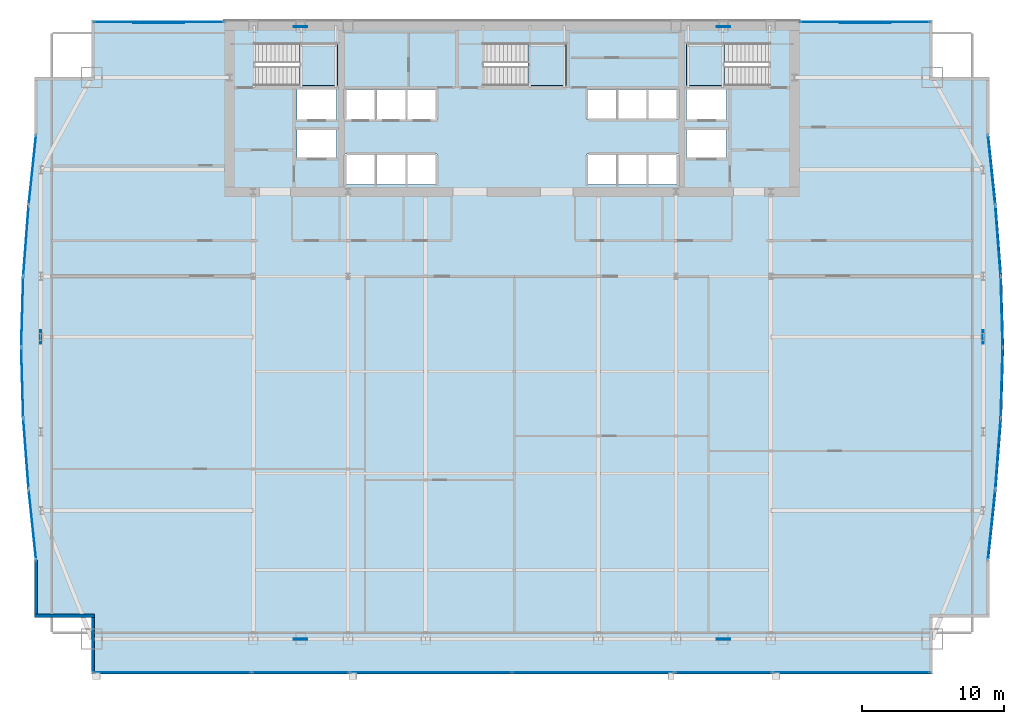
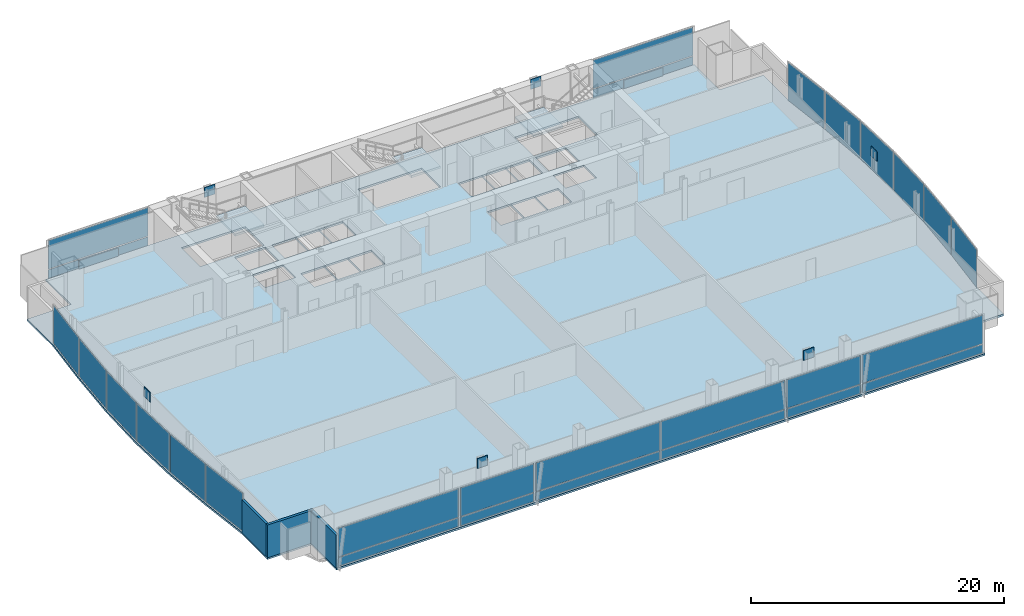
# One storey, part 25 of 30: 36 plates, 4 slabs, 3 walls, 22 elements without a shape of their own.
"""IFC4 building model written with IfcOpenShell, lengths in metres."""

import ifcopenshell
import ifcopenshell.guid

model = None  # the IFC model being written
_history = None  # IfcOwnerHistory: only IFC2X3 demands one
_inside = {}  # id of a spatial element -> (the spatial element, [elements in it])
_under = {}  # id of a project, library or spatial element -> (it, [spatial elements below it])
_declared = {}  # id of a project -> (the project, [libraries it declares])
_typed = {}  # id of a type object -> (the type object, [elements of that type])
_made_of = {}  # id of a material, layer set ... -> (it, [elements and type objects made of it])


def new_model(schema):
    """Start an empty IFC model of exactly this schema.

    Asked for "IFC4X3", IfcOpenShell would pick the latest addendum, in which some entities
    have other attributes; the version numbers below select the first issue.
    IFC2X3 requires an IfcOwnerHistory on every rooted entity: one is made here for all.
    """
    global model, _history
    if schema == "IFC4X3":
        model = ifcopenshell.file(schema_version=(4, 3, 0, 0))
    else:
        model = ifcopenshell.file(schema=schema)
    _inside.clear()
    _under.clear()
    _declared.clear()
    _typed.clear()
    _made_of.clear()
    _history = None
    if model.schema == "IFC2X3":
        org = make("IfcOrganization", Name="unknown")
        user = make(
            "IfcPersonAndOrganization",
            ThePerson=make("IfcPerson", FamilyName="unknown"),
            TheOrganization=org,
        )
        app = make(
            "IfcApplication",
            ApplicationDeveloper=org,
            Version="unknown",
            ApplicationFullName="unknown",
            ApplicationIdentifier="unknown",
        )
        _history = make(
            "IfcOwnerHistory",
            OwningUser=user,
            OwningApplication=app,
            ChangeAction="ADDED",
            CreationDate=0,
        )
    return model


def make(cls, **values):
    """One entity of the class cls with the attributes given. An attribute that is None is left unset."""
    return model.create_entity(
        cls, **{name: value for name, value in values.items() if value is not None}
    )


def rooted(cls, **values):
    """An entity with a GlobalId (a new one), such as an element, a storey or a relation."""
    return make(cls, GlobalId=ifcopenshell.guid.new(), OwnerHistory=_history, **values)


def si_unit(unit_type, name, prefix=None):
    """IfcSIUnit, for example si_unit("LENGTHUNIT", "METRE", prefix="MILLI")."""
    return make("IfcSIUnit", UnitType=unit_type, Prefix=prefix, Name=name)


def assignment(units):
    """IfcUnitAssignment: the units of a project."""
    return None if units is None else make("IfcUnitAssignment", Units=units)


def point(xyz):
    """IfcCartesianPoint."""
    return None if xyz is None else make("IfcCartesianPoint", Coordinates=xyz)


def direction(xyz):
    """IfcDirection."""
    return None if xyz is None else make("IfcDirection", DirectionRatios=xyz)


def frame(location, z_axis=None, x_axis=None):
    """IfcAxis2Placement3D, a coordinate frame: its origin and axes. An axis left out is left unset."""
    return make(
        "IfcAxis2Placement3D",
        Location=point(location),
        Axis=direction(z_axis),
        RefDirection=direction(x_axis),
    )


def frame_2d(location, x_axis=None):
    """IfcAxis2Placement2D, a coordinate frame in the plane: its origin and x axis."""
    return make(
        "IfcAxis2Placement2D", Location=point(location), RefDirection=direction(x_axis)
    )


def origin():
    """The frame at (0, 0, 0) with its axes left unset."""
    return frame((0.0, 0.0, 0.0))


def origin_2d():
    """The frame at (0, 0) in the plane with its x axis left unset."""
    return frame_2d((0.0, 0.0))


def place(relative_to, where):
    """IfcLocalPlacement: puts the frame where relative to a parent placement (None: the world)."""
    return make(
        "IfcLocalPlacement", PlacementRelTo=relative_to, RelativePlacement=where
    )


def context(
    kind, dimensions, precision=None, world=None, true_north=None, identifier=None
):
    """IfcGeometricRepresentationContext, for example the 3D "Model" context."""
    return make(
        "IfcGeometricRepresentationContext",
        ContextIdentifier=identifier,
        ContextType=kind,
        CoordinateSpaceDimension=dimensions,
        Precision=precision,
        WorldCoordinateSystem=world,
        TrueNorth=true_north,
    )


def subcontext(parent, identifier, kind, view, scale=None):
    """IfcGeometricRepresentationSubContext, for example "Body" below "Model"."""
    return make(
        "IfcGeometricRepresentationSubContext",
        ContextIdentifier=identifier,
        ContextType=kind,
        ParentContext=parent,
        TargetScale=scale,
        TargetView=view,
    )


def project(units=None, contexts=None):
    """IfcProject with its units and contexts."""
    return rooted(
        "IfcProject",
        Name="project",
        RepresentationContexts=contexts,
        UnitsInContext=assignment(units),
    )


def spatial(cls, under=None, at=None, **own):
    """A site, building, storey or space (cls), placed at a placement, below another one or the project."""
    s = rooted(cls, ObjectPlacement=at, **own)
    if under is not None:
        _under.setdefault(under.id(), (under, []))[1].append(s)
    return s


def polyline(points):
    """IfcPolyline through the points."""
    return make("IfcPolyline", Points=[point(p) for p in points])


def profile(cls, at=None, kind="AREA", **sizes):
    """A parametric profile (cls). Its sizes go by their IFC names, for example OverallWidth=200.0."""
    return make(cls, ProfileType=kind, Position=at, **sizes)


def rectangle(**sizes):
    """IfcRectangleProfileDef."""
    return profile("IfcRectangleProfileDef", **sizes)


def outline(outer, holes=None, kind="AREA"):
    """IfcArbitraryClosedProfileDef: a profile drawn as a closed curve; with holes, ...WithVoids."""
    if holes is None:
        return make("IfcArbitraryClosedProfileDef", ProfileType=kind, OuterCurve=outer)
    return make(
        "IfcArbitraryProfileDefWithVoids",
        ProfileType=kind,
        OuterCurve=outer,
        InnerCurves=holes,
    )


def extrude(swept, where, along, depth):
    """IfcExtrudedAreaSolid: the profile swept, set in the frame where, extruded along a direction by depth."""
    return make(
        "IfcExtrudedAreaSolid",
        SweptArea=swept,
        Position=where,
        ExtrudedDirection=direction(along),
        Depth=depth,
    )


def shape(context_of_items, identifier, shape_type, items):
    """IfcShapeRepresentation: the items that make up one representation, for example the "Body"."""
    return make(
        "IfcShapeRepresentation",
        ContextOfItems=context_of_items,
        RepresentationIdentifier=identifier,
        RepresentationType=shape_type,
        Items=items,
    )


def material(Name=None, Category=None):
    """IfcMaterial."""
    return make("IfcMaterial", Name=Name, Category=Category)


def layer(
    of_material, thickness, ventilated=None, Name=None, Category=None, Priority=None
):
    """IfcMaterialLayer: one layer of a wall or slab, of a material (None: an air gap)."""
    return make(
        "IfcMaterialLayer",
        Material=of_material,
        LayerThickness=thickness,
        IsVentilated=ventilated,
        Name=Name,
        Category=Category,
        Priority=Priority,
    )


def layer_set(layers, Name=None):
    """IfcMaterialLayerSet."""
    return make("IfcMaterialLayerSet", MaterialLayers=layers, LayerSetName=Name)


def made_of(thing, what):
    """Note that an element or type object is made of a material, layer set ...; save() writes the relation."""
    if what is not None:
        _made_of.setdefault(what.id(), (what, []))[1].append(thing)
    return thing


def type_object(cls, material=None, **own):
    """A type object (cls), such as IfcWallType, which elements share."""
    return made_of(rooted(cls, **own), material)


def element(
    cls,
    number,
    at=None,
    inside=None,
    cuts=None,
    type_object=None,
    material=None,
    context=None,
    identifier="Body",
    shape_type=None,
    held_by="IfcProductDefinitionShape",
    body=None,
    shapes=None,
    **own,
):
    """One element of the class cls, such as IfcWall. Its Tag is "e" and its number.

    at: its placement. inside: the storey or other place that contains it. cuts: it is an
    opening in that element (IfcRelVoidsElement). A single representation is given by context,
    identifier, shape_type and body (its items); several are given by shapes. held_by: the class
    of the entity that holds the representations. save() writes the other relations.
    """
    e = rooted(cls, Tag="e%d" % number, ObjectPlacement=at, **own)
    if body is not None:
        shapes = [shape(context, identifier, shape_type, body)]
    if shapes is not None:
        e.Representation = make(held_by, Representations=shapes)
    if inside is not None:
        _inside.setdefault(inside.id(), (inside, []))[1].append(e)
    if cuts is not None:
        rooted(
            "IfcRelVoidsElement", RelatingBuildingElement=cuts, RelatedOpeningElement=e
        )
    if type_object is not None:
        _typed.setdefault(type_object.id(), (type_object, []))[1].append(e)
    return made_of(e, material)


def aggregate(whole, parts):
    """IfcRelAggregates: a whole, such as a stair, and the parts it consists of."""
    return rooted("IfcRelAggregates", RelatingObject=whole, RelatedObjects=parts)


def save(model, path):
    """Write the relations noted so far, then the file.

    IfcRelAggregates (storeys below a building ...), IfcRelContainedInSpatialStructure (elements
    in a storey), IfcRelDefinesByType, IfcRelAssociatesMaterial and IfcRelDeclares: one each for
    every whole, place, type object, material and project.
    """
    for whole, parts in _under.values():
        aggregate(whole, parts)
    for where, things in _inside.values():
        rooted(
            "IfcRelContainedInSpatialStructure",
            RelatedElements=things,
            RelatingStructure=where,
        )
    for kind, things in _typed.values():
        rooted("IfcRelDefinesByType", RelatedObjects=things, RelatingType=kind)
    for what, things in _made_of.values():
        rooted("IfcRelAssociatesMaterial", RelatedObjects=things, RelatingMaterial=what)
    for by, libraries in _declared.values():
        rooted("IfcRelDeclares", RelatingContext=by, RelatedDefinitions=libraries)
    model.write(path)


model = new_model("IFC4")

# Units and contexts
model_context = context("Model", 3, precision=1e-05, world=origin(), true_north=direction((0.0, 1.0)))
body_context = subcontext(model_context, "Body", "Model", "MODEL_VIEW")
ifc_project = project(units=[si_unit("LENGTHUNIT", "METRE"), si_unit("AREAUNIT", "SQUARE_METRE"), si_unit("VOLUMEUNIT", "CUBIC_METRE"), si_unit("PLANEANGLEUNIT", "RADIAN"), si_unit("MASSUNIT", "GRAM", prefix="KILO")], contexts=[model_context])

# Site, building, storey
site_placement = place(None, origin())
site = spatial("IfcSite", under=ifc_project, at=site_placement, CompositionType="ELEMENT")
building_placement = place(site_placement, origin())
building = spatial("IfcBuilding", under=site, at=building_placement, Name="Khoronbel Lancet Exchange", CompositionType="ELEMENT")
storey_placement = place(building_placement, frame((0.0, 0.0, 90.60009765625)))
storey = spatial("IfcBuildingStorey", under=building, at=storey_placement, Name="L21", CompositionType="ELEMENT", Elevation=90.60009765625)

# Curtain wall, plate
ifc_material_1 = material(Name="Low-E Solar Control Insulating Glass", Category="glass")
curtain_wall_type_1 = type_object("IfcCurtainWallType", Name="CW-4", PredefinedType="NOTDEFINED", material=ifc_material_1)
curtain_wall_1_placement = place(storey_placement, origin())
curtain_wall_1 = element("IfcCurtainWall", 1, at=curtain_wall_1_placement, inside=storey, type_object=curtain_wall_type_1, Name="Unitised curtain wall CW-L21-E05", PredefinedType="NOTDEFINED")
ifc_material_2 = material(Name="Bronze-Anodised Aluminium 6063-T6", Category="aluminium")
ifc_layer_1 = layer(ifc_material_2, 0.050048828125, Name="Bronze-Anodised Aluminium 6063-T6")
ifc_layer_set_1 = layer_set([ifc_layer_1], Name="Bronze-Anodised Aluminium 6063-T6")
plate_type_1 = type_object("IfcPlateType", Name="PLT-CSP1", PredefinedType="SHEET", material=ifc_layer_set_1)
plate_1_placement = place(storey_placement, frame((2.22265625, 23.206298828125, 0.0849609375), z_axis=(0.0, 0.0, 1.0), x_axis=(-0.076626304874, 0.997059882555, 0.0)))
plate_1 = element("IfcPlate", 2, at=plate_1_placement, type_object=plate_type_1, Name="CW4 panel 1.1", PredefinedType="CURTAIN_PANEL", context=body_context, shape_type="SweptSolid", body=[
    extrude(rectangle(XDim=4.861328125, YDim=0.0380859375, at=origin_2d()), origin(), (0.0, 0.0, 1.0), 3.64990234375),
])
aggregate(curtain_wall_1, [plate_1])

curtain_wall_2_placement = place(storey_placement, origin())
curtain_wall_2 = element("IfcCurtainWall", 3, at=curtain_wall_2_placement, inside=storey, type_object=curtain_wall_type_1, Name="Unitised curtain wall CW-L21-E06", PredefinedType="NOTDEFINED")
plate_2_placement = place(storey_placement, frame((1.960205078125, 28.202392578125, 0.0849609375), z_axis=(0.0, 0.0, 1.0), x_axis=(-0.028135315146, 0.999604123662, 0.0)))
plate_2 = element("IfcPlate", 4, at=plate_2_placement, type_object=plate_type_1, Name="CW4 panel 1.1", PredefinedType="CURTAIN_PANEL", context=body_context, shape_type="SweptSolid", body=[
    extrude(rectangle(XDim=4.84716796875, YDim=0.0380859375, at=origin_2d()), origin(), (0.0, 0.0, 1.0), 3.64990234375),
])
aggregate(curtain_wall_2, [plate_2])

curtain_wall_3_placement = place(storey_placement, origin())
curtain_wall_3 = element("IfcCurtainWall", 5, at=curtain_wall_3_placement, inside=storey, type_object=curtain_wall_type_1, Name="Unitised curtain wall CW-L21-E07", PredefinedType="NOTDEFINED")
plate_3_placement = place(storey_placement, frame((1.960205078125, 33.19775390625, 0.0849609375), z_axis=(0.0, 0.0, 1.0), x_axis=(0.028135315146, 0.999604123662, 0.0)))
plate_3 = element("IfcPlate", 6, at=plate_3_placement, type_object=plate_type_1, Name="CW4 panel 1.1", PredefinedType="CURTAIN_PANEL", context=body_context, shape_type="SweptSolid", body=[
    extrude(rectangle(XDim=4.84716796875, YDim=0.0380859375, at=origin_2d()), origin(), (0.0, 0.0, 1.0), 3.64990234375),
])
aggregate(curtain_wall_3, [plate_3])

curtain_wall_4_placement = place(storey_placement, origin())
curtain_wall_4 = element("IfcCurtainWall", 7, at=curtain_wall_4_placement, inside=storey, type_object=curtain_wall_type_1, Name="Unitised curtain wall CW-L21-E08", PredefinedType="NOTDEFINED")
plate_4_placement = place(storey_placement, frame((2.22265625, 38.193603515625, 0.0849609375), z_axis=(0.0, 0.0, 1.0), x_axis=(0.076626304874, 0.997059882555, 0.0)))
plate_4 = element("IfcPlate", 8, at=plate_4_placement, type_object=plate_type_1, Name="CW4 panel 1.1", PredefinedType="CURTAIN_PANEL", context=body_context, shape_type="SweptSolid", body=[
    extrude(rectangle(XDim=4.861328125, YDim=0.0380859375, at=origin_2d()), origin(), (0.0, 0.0, 1.0), 3.64990234375),
])
aggregate(curtain_wall_4, [plate_4])

curtain_wall_type_2 = type_object("IfcCurtainWallType", Name="CW-2", PredefinedType="NOTDEFINED", material=ifc_material_1)
curtain_wall_5_placement = place(storey_placement, origin())
curtain_wall_5 = element("IfcCurtainWall", 9, at=curtain_wall_5_placement, inside=storey, type_object=curtain_wall_type_2, Name="Unitised curtain wall CW-L21-NWFLK", PredefinedType="NOTDEFINED")
plate_5_placement = place(storey_placement, frame((11.580078125, 53.550048828125, 0.0498046875), z_axis=(0.0, 0.0, 1.0), x_axis=(-1.0, 0.0, 0.0)))
plate_5 = element("IfcPlate", 10, at=plate_5_placement, type_object=plate_type_1, Name="Insulated bronze spandrel cassette CW-L21-NWFLK", PredefinedType="SHEET", context=body_context, shape_type="SweptSolid", body=[
    extrude(rectangle(XDim=3.60009765625, YDim=0.050048828125, at=origin_2d()), origin(), (0.0, 0.0, 1.0), 0.800048828125),
])

curtain_wall_6_placement = place(storey_placement, origin())
curtain_wall_6 = element("IfcCurtainWall", 11, at=curtain_wall_6_placement, inside=storey, type_object=curtain_wall_type_2, Name="Unitised curtain wall CW-L21-NEFLK", PredefinedType="NOTDEFINED")
plate_6_placement = place(storey_placement, frame((61.320068359375, 53.550048828125, 0.0498046875), z_axis=(0.0, 0.0, 1.0), x_axis=(-1.0, 0.0, 0.0)))
plate_6 = element("IfcPlate", 12, at=plate_6_placement, type_object=plate_type_1, Name="Insulated bronze spandrel cassette CW-L21-NEFLK", PredefinedType="SHEET", context=body_context, shape_type="SweptSolid", body=[
    extrude(rectangle(XDim=3.60009765625, YDim=0.050048828125, at=origin_2d()), origin(), (0.0, 0.0, 1.0), 0.800048828125),
])

curtain_wall_7_placement = place(storey_placement, origin())
curtain_wall_7 = element("IfcCurtainWall", 13, at=curtain_wall_7_placement, inside=storey, type_object=curtain_wall_type_1, Name="Unitised curtain wall CW-L21-E18", PredefinedType="NOTDEFINED")
plate_7_placement = place(storey_placement, frame((70.677490234375, 38.193603515625, 0.0849609375), z_axis=(0.0, 0.0, 1.0), x_axis=(0.076626304874, -0.997059882555, 0.0)))
plate_7 = element("IfcPlate", 14, at=plate_7_placement, type_object=plate_type_1, Name="CW4 panel 1.1", PredefinedType="CURTAIN_PANEL", context=body_context, shape_type="SweptSolid", body=[
    extrude(rectangle(XDim=4.861328125, YDim=0.0380859375, at=origin_2d()), origin(), (0.0, 0.0, 1.0), 3.64990234375),
])
aggregate(curtain_wall_7, [plate_7])

curtain_wall_8_placement = place(storey_placement, origin())
curtain_wall_8 = element("IfcCurtainWall", 15, at=curtain_wall_8_placement, inside=storey, type_object=curtain_wall_type_1, Name="Unitised curtain wall CW-L21-E19", PredefinedType="NOTDEFINED")
plate_8_placement = place(storey_placement, frame((70.939697265625, 33.19775390625, 0.0849609375), z_axis=(0.0, 0.0, 1.0), x_axis=(0.028135315146, -0.999604123662, 0.0)))
plate_8 = element("IfcPlate", 16, at=plate_8_placement, type_object=plate_type_1, Name="CW4 panel 1.1", PredefinedType="CURTAIN_PANEL", context=body_context, shape_type="SweptSolid", body=[
    extrude(rectangle(XDim=4.84716796875, YDim=0.0380859375, at=origin_2d()), origin(), (0.0, 0.0, 1.0), 3.64990234375),
])
aggregate(curtain_wall_8, [plate_8])

curtain_wall_9_placement = place(storey_placement, origin())
curtain_wall_9 = element("IfcCurtainWall", 17, at=curtain_wall_9_placement, inside=storey, type_object=curtain_wall_type_1, Name="Unitised curtain wall CW-L21-E20", PredefinedType="NOTDEFINED")
plate_9_placement = place(storey_placement, frame((70.939697265625, 28.202392578125, 0.0849609375), z_axis=(0.0, 0.0, 1.0), x_axis=(-0.028135315146, -0.999604123662, 0.0)))
plate_9 = element("IfcPlate", 18, at=plate_9_placement, type_object=plate_type_1, Name="CW4 panel 1.1", PredefinedType="CURTAIN_PANEL", context=body_context, shape_type="SweptSolid", body=[
    extrude(rectangle(XDim=4.84716796875, YDim=0.0380859375, at=origin_2d()), origin(), (0.0, 0.0, 1.0), 3.64990234375),
])
aggregate(curtain_wall_9, [plate_9])

curtain_wall_10_placement = place(storey_placement, origin())
curtain_wall_10 = element("IfcCurtainWall", 19, at=curtain_wall_10_placement, inside=storey, type_object=curtain_wall_type_1, Name="Unitised curtain wall CW-L21-E21", PredefinedType="NOTDEFINED")
plate_10_placement = place(storey_placement, frame((70.677490234375, 23.206298828125, 0.0849609375), z_axis=(0.0, 0.0, 1.0), x_axis=(-0.076626304874, -0.997059882555, 0.0)))
plate_10 = element("IfcPlate", 20, at=plate_10_placement, type_object=plate_type_1, Name="CW4 panel 1.1", PredefinedType="CURTAIN_PANEL", context=body_context, shape_type="SweptSolid", body=[
    extrude(rectangle(XDim=4.861328125, YDim=0.0380859375, at=origin_2d()), origin(), (0.0, 0.0, 1.0), 3.64990234375),
])
aggregate(curtain_wall_10, [plate_10])

# Curtain wall, plates
curtain_wall_11_placement = place(storey_placement, origin())
curtain_wall_11 = element("IfcCurtainWall", 21, at=curtain_wall_11_placement, inside=storey, type_object=curtain_wall_type_2, Name="Unitised curtain wall CW-L21-SWB", PredefinedType="NOTDEFINED")
plate_11_placement = place(storey_placement, frame((21.550048828125, 7.7900390625, 0.0849609375), z_axis=(0.0, 0.0, 1.0), x_axis=(1.0, 0.0, 0.0)))
plate_11 = element("IfcPlate", 22, at=plate_11_placement, type_object=plate_type_1, Name="CW2 panel 1.1", PredefinedType="CURTAIN_PANEL", context=body_context, shape_type="SweptSolid", body=[
    extrude(rectangle(XDim=6.72998046875, YDim=0.0380859375, at=origin_2d()), origin(), (0.0, 0.0, 1.0), 0.822509765625),
])
plate_12_placement = place(storey_placement, frame((21.550048828125, 7.7900390625, 0.99267578125), z_axis=(0.0, 0.0, 1.0), x_axis=(1.0, 0.0, 0.0)))
plate_12 = element("IfcPlate", 23, at=plate_12_placement, type_object=plate_type_1, Name="CW2 panel 1.2", PredefinedType="CURTAIN_PANEL", context=body_context, shape_type="SweptSolid", body=[
    extrude(rectangle(XDim=6.72998046875, YDim=0.0380859375, at=origin_2d()), origin(), (0.0, 0.0, 1.0), 2.742431640625),
])
aggregate(curtain_wall_11, [plate_11, plate_12])

curtain_wall_12_placement = place(storey_placement, origin())
curtain_wall_12 = element("IfcCurtainWall", 24, at=curtain_wall_12_placement, inside=storey, type_object=curtain_wall_type_2, Name="Unitised curtain wall CW-L21-SEB", PredefinedType="NOTDEFINED")
plate_13_placement = place(storey_placement, frame((51.35009765625, 7.7900390625, 0.0849609375), z_axis=(0.0, 0.0, 1.0), x_axis=(1.0, 0.0, 0.0)))
plate_13 = element("IfcPlate", 25, at=plate_13_placement, type_object=plate_type_1, Name="CW2 panel 1.1", PredefinedType="CURTAIN_PANEL", context=body_context, shape_type="SweptSolid", body=[
    extrude(rectangle(XDim=6.72998046875, YDim=0.0380859375, at=origin_2d()), origin(), (0.0, 0.0, 1.0), 0.822509765625),
])
plate_14_placement = place(storey_placement, frame((51.35009765625, 7.7900390625, 0.99267578125), z_axis=(0.0, 0.0, 1.0), x_axis=(1.0, 0.0, 0.0)))
plate_14 = element("IfcPlate", 26, at=plate_14_placement, type_object=plate_type_1, Name="CW2 panel 1.2", PredefinedType="CURTAIN_PANEL", context=body_context, shape_type="SweptSolid", body=[
    extrude(rectangle(XDim=6.72998046875, YDim=0.0380859375, at=origin_2d()), origin(), (0.0, 0.0, 1.0), 2.742431640625),
])
aggregate(curtain_wall_12, [plate_13, plate_14])

# Plate
ifc_layer_2 = layer(ifc_material_1, 0.035888671875, Name="Low-E Solar Control Insulating Glass")
ifc_layer_set_2 = layer_set([ifc_layer_2], Name="Low-E Solar Control Insulating Glass")
plate_type_2 = type_object("IfcPlateType", Name="PLT-CWP1", PredefinedType="CURTAIN_PANEL", material=ifc_layer_set_2)
plate_15_placement = place(storey_placement, frame((11.580078125, 53.610107421875, 0.0849609375), z_axis=(0.0, 0.0, 1.0), x_axis=(-1.0, 0.0, 0.0)))
plate_15 = element("IfcPlate", 27, at=plate_15_placement, type_object=plate_type_2, Name="CW2 panel 1.1", PredefinedType="CURTAIN_PANEL", context=body_context, shape_type="SweptSolid", body=[
    extrude(rectangle(XDim=9.110107421875, YDim=0.0380859375, at=origin_2d()), origin(), (0.0, 0.0, 1.0), 0.822509765625),
])

plate_16_placement = place(storey_placement, frame((11.580078125, 53.610107421875, 0.99267578125), z_axis=(0.0, 0.0, 1.0), x_axis=(-1.0, 0.0, 0.0)))
plate_16 = element("IfcPlate", 28, at=plate_16_placement, type_object=plate_type_2, Name="CW2 panel 1.2", PredefinedType="CURTAIN_PANEL", context=body_context, shape_type="SweptSolid", body=[
    extrude(rectangle(XDim=9.110107421875, YDim=0.0380859375, at=origin_2d()), origin(), (0.0, 0.0, 1.0), 2.742431640625),
])

aggregate(curtain_wall_5, [plate_15, plate_16, plate_5])

plate_17_placement = place(storey_placement, frame((61.320068359375, 53.610107421875, 0.0849609375), z_axis=(0.0, 0.0, 1.0), x_axis=(-1.0, 0.0, 0.0)))
plate_17 = element("IfcPlate", 29, at=plate_17_placement, type_object=plate_type_2, Name="CW2 panel 1.1", PredefinedType="CURTAIN_PANEL", context=body_context, shape_type="SweptSolid", body=[
    extrude(rectangle(XDim=9.110107421875, YDim=0.0380859375, at=origin_2d()), origin(), (0.0, 0.0, 1.0), 0.822509765625),
])

plate_18_placement = place(storey_placement, frame((61.320068359375, 53.610107421875, 0.99267578125), z_axis=(0.0, 0.0, 1.0), x_axis=(-1.0, 0.0, 0.0)))
plate_18 = element("IfcPlate", 30, at=plate_18_placement, type_object=plate_type_2, Name="CW2 panel 1.2", PredefinedType="CURTAIN_PANEL", context=body_context, shape_type="SweptSolid", body=[
    extrude(rectangle(XDim=9.110107421875, YDim=0.0380859375, at=origin_2d()), origin(), (0.0, 0.0, 1.0), 2.742431640625),
])

aggregate(curtain_wall_6, [plate_17, plate_18, plate_6])

# Curtain wall, plates
curtain_wall_13_placement = place(storey_placement, origin())
curtain_wall_13 = element("IfcCurtainWall", 31, at=curtain_wall_13_placement, inside=storey, type_object=curtain_wall_type_2, Name="Unitised curtain wall CW-L21-SWV", PredefinedType="NOTDEFINED")
plate_19_placement = place(storey_placement, frame((12.52001953125, 7.7900390625, 0.0849609375), z_axis=(0.0, 0.0, 1.0), x_axis=(1.0, 0.0, 0.0)))
plate_19 = element("IfcPlate", 32, at=plate_19_placement, type_object=plate_type_2, Name="CW2 panel 1.1", PredefinedType="CURTAIN_PANEL", context=body_context, shape_type="SweptSolid", body=[
    extrude(rectangle(XDim=10.989990234375, YDim=0.0380859375, at=origin_2d()), origin(), (0.0, 0.0, 1.0), 0.822509765625),
])
plate_20_placement = place(storey_placement, frame((12.52001953125, 7.7900390625, 0.99267578125), z_axis=(0.0, 0.0, 1.0), x_axis=(1.0, 0.0, 0.0)))
plate_20 = element("IfcPlate", 33, at=plate_20_placement, type_object=plate_type_2, Name="CW2 panel 1.2", PredefinedType="CURTAIN_PANEL", context=body_context, shape_type="SweptSolid", body=[
    extrude(rectangle(XDim=10.989990234375, YDim=0.0380859375, at=origin_2d()), origin(), (0.0, 0.0, 1.0), 2.742431640625),
])
aggregate(curtain_wall_13, [plate_19, plate_20])

curtain_wall_14_placement = place(storey_placement, origin())
curtain_wall_14 = element("IfcCurtainWall", 34, at=curtain_wall_14_placement, inside=storey, type_object=curtain_wall_type_2, Name="Unitised curtain wall CW-L21-SCV", PredefinedType="NOTDEFINED")
plate_21_placement = place(storey_placement, frame((30.746337890625, 7.7900390625, 0.0849609375), z_axis=(0.0, 0.0, 1.0), x_axis=(1.0, 0.0, 0.0)))
plate_21 = element("IfcPlate", 35, at=plate_21_placement, type_object=plate_type_2, Name="CW2 panel 1.1", PredefinedType="CURTAIN_PANEL", context=body_context, shape_type="SweptSolid", body=[
    extrude(rectangle(XDim=11.322509765625, YDim=0.0380859375, at=origin_2d()), origin(), (0.0, 0.0, 1.0), 0.822509765625),
])
plate_22_placement = place(storey_placement, frame((30.746337890625, 7.7900390625, 0.99267578125), z_axis=(0.0, 0.0, 1.0), x_axis=(1.0, 0.0, 0.0)))
plate_22 = element("IfcPlate", 36, at=plate_22_placement, type_object=plate_type_2, Name="CW2 panel 1.2", PredefinedType="CURTAIN_PANEL", context=body_context, shape_type="SweptSolid", body=[
    extrude(rectangle(XDim=11.322509765625, YDim=0.0380859375, at=origin_2d()), origin(), (0.0, 0.0, 1.0), 2.742431640625),
])
plate_23_placement = place(storey_placement, frame((42.15380859375, 7.7900390625, 0.0849609375), z_axis=(0.0, 0.0, 1.0), x_axis=(1.0, 0.0, 0.0)))
plate_23 = element("IfcPlate", 37, at=plate_23_placement, type_object=plate_type_2, Name="CW2 panel 2.1", PredefinedType="CURTAIN_PANEL", context=body_context, shape_type="SweptSolid", body=[
    extrude(rectangle(XDim=11.322509765625, YDim=0.0380859375, at=origin_2d()), origin(), (0.0, 0.0, 1.0), 0.822509765625),
])
plate_24_placement = place(storey_placement, frame((42.15380859375, 7.7900390625, 0.99267578125), z_axis=(0.0, 0.0, 1.0), x_axis=(1.0, 0.0, 0.0)))
plate_24 = element("IfcPlate", 38, at=plate_24_placement, type_object=plate_type_2, Name="CW2 panel 2.2", PredefinedType="CURTAIN_PANEL", context=body_context, shape_type="SweptSolid", body=[
    extrude(rectangle(XDim=11.322509765625, YDim=0.0380859375, at=origin_2d()), origin(), (0.0, 0.0, 1.0), 2.742431640625),
])
aggregate(curtain_wall_14, [plate_21, plate_22, plate_23, plate_24])

curtain_wall_15_placement = place(storey_placement, origin())
curtain_wall_15 = element("IfcCurtainWall", 39, at=curtain_wall_15_placement, inside=storey, type_object=curtain_wall_type_2, Name="Unitised curtain wall CW-L21-SEV", PredefinedType="NOTDEFINED")
plate_25_placement = place(storey_placement, frame((60.3798828125, 7.7900390625, 0.0849609375), z_axis=(0.0, 0.0, 1.0), x_axis=(1.0, 0.0, 0.0)))
plate_25 = element("IfcPlate", 40, at=plate_25_placement, type_object=plate_type_2, Name="CW2 panel 1.1", PredefinedType="CURTAIN_PANEL", context=body_context, shape_type="SweptSolid", body=[
    extrude(rectangle(XDim=10.989990234375, YDim=0.0380859375, at=origin_2d()), origin(), (0.0, 0.0, 1.0), 0.822509765625),
])
plate_26_placement = place(storey_placement, frame((60.3798828125, 7.7900390625, 0.99267578125), z_axis=(0.0, 0.0, 1.0), x_axis=(1.0, 0.0, 0.0)))
plate_26 = element("IfcPlate", 41, at=plate_26_placement, type_object=plate_type_2, Name="CW2 panel 1.2", PredefinedType="CURTAIN_PANEL", context=body_context, shape_type="SweptSolid", body=[
    extrude(rectangle(XDim=10.989990234375, YDim=0.0380859375, at=origin_2d()), origin(), (0.0, 0.0, 1.0), 2.742431640625),
])
aggregate(curtain_wall_15, [plate_25, plate_26])

# Curtain wall, plate
curtain_wall_16_placement = place(storey_placement, origin())
curtain_wall_16 = element("IfcCurtainWall", 42, at=curtain_wall_16_placement, inside=storey, type_object=curtain_wall_type_1, Name="Unitised curtain wall CW-L21-E04", PredefinedType="NOTDEFINED")
ifc_material_3 = material(Name="Ceramic-Fritted Laminated Insulating Glass", Category="glass")
ifc_layer_3 = layer(ifc_material_3, 0.0419921875, Name="Ceramic-Fritted Laminated Insulating Glass")
ifc_layer_set_3 = layer_set([ifc_layer_3], Name="Ceramic-Fritted Laminated Insulating Glass")
plate_type_3 = type_object("IfcPlateType", Name="PLT-CWP2", PredefinedType="CURTAIN_PANEL", material=ifc_layer_set_3)
plate_27_placement = place(storey_placement, frame((2.67724609375, 18.206298828125, 0.0849609375), z_axis=(0.0, 0.0, 1.0), x_axis=(-0.104434383958, 0.994531779003, 0.0)))
plate_27 = element("IfcPlate", 43, at=plate_27_placement, type_object=plate_type_3, Name="CW4 panel 1.1", PredefinedType="CURTAIN_PANEL", context=body_context, shape_type="SweptSolid", body=[
    extrude(rectangle(XDim=4.880859375, YDim=0.0380859375, at=origin_2d()), origin(), (0.0, 0.0, 1.0), 3.64990234375),
])
aggregate(curtain_wall_16, [plate_27])

curtain_wall_17_placement = place(storey_placement, origin())
curtain_wall_17 = element("IfcCurtainWall", 44, at=curtain_wall_17_placement, inside=storey, type_object=curtain_wall_type_1, Name="Unitised curtain wall CW-L21-E09", PredefinedType="NOTDEFINED")
plate_28_placement = place(storey_placement, frame((2.67724609375, 43.193603515625, 0.0849609375), z_axis=(0.0, 0.0, 1.0), x_axis=(0.104434383958, 0.994531779003, 0.0)))
plate_28 = element("IfcPlate", 45, at=plate_28_placement, type_object=plate_type_3, Name="CW4 panel 1.1", PredefinedType="CURTAIN_PANEL", context=body_context, shape_type="SweptSolid", body=[
    extrude(rectangle(XDim=4.880859375, YDim=0.0380859375, at=origin_2d()), origin(), (0.0, 0.0, 1.0), 3.64990234375),
])
aggregate(curtain_wall_17, [plate_28])

curtain_wall_18_placement = place(storey_placement, origin())
curtain_wall_18 = element("IfcCurtainWall", 46, at=curtain_wall_18_placement, inside=storey, type_object=curtain_wall_type_1, Name="Unitised curtain wall CW-L21-E17", PredefinedType="NOTDEFINED")
plate_29_placement = place(storey_placement, frame((70.22265625, 43.193603515625, 0.0849609375), z_axis=(0.0, 0.0, 1.0), x_axis=(0.104434383958, -0.994531779003, 0.0)))
plate_29 = element("IfcPlate", 47, at=plate_29_placement, type_object=plate_type_3, Name="CW4 panel 1.1", PredefinedType="CURTAIN_PANEL", context=body_context, shape_type="SweptSolid", body=[
    extrude(rectangle(XDim=4.880859375, YDim=0.0380859375, at=origin_2d()), origin(), (0.0, 0.0, 1.0), 3.64990234375),
])
aggregate(curtain_wall_18, [plate_29])

curtain_wall_19_placement = place(storey_placement, origin())
curtain_wall_19 = element("IfcCurtainWall", 48, at=curtain_wall_19_placement, inside=storey, type_object=curtain_wall_type_1, Name="Unitised curtain wall CW-L21-E22", PredefinedType="NOTDEFINED")
plate_30_placement = place(storey_placement, frame((70.22265625, 18.206298828125, 0.0849609375), z_axis=(0.0, 0.0, 1.0), x_axis=(-0.104434383958, -0.994531779003, 0.0)))
plate_30 = element("IfcPlate", 49, at=plate_30_placement, type_object=plate_type_3, Name="CW4 panel 1.1", PredefinedType="CURTAIN_PANEL", context=body_context, shape_type="SweptSolid", body=[
    extrude(rectangle(XDim=4.880859375, YDim=0.0380859375, at=origin_2d()), origin(), (0.0, 0.0, 1.0), 3.64990234375),
])
aggregate(curtain_wall_19, [plate_30])

# Plates
ifc_material_4 = material(Name="Steel S460", Category="steel")
ifc_layer_4 = layer(ifc_material_4, 0.06005859375, Name="Steel S460")
ifc_layer_set_4 = layer_set([ifc_layer_4], Name="Steel S460")
plate_type_4 = type_object("IfcPlateType", Name="PLT-ND1", PredefinedType="USERDEFINED", material=ifc_layer_set_4)
for number, where, z_axis, x_axis, name in (
    (50, (21.5625, 10.14990234375, 3.1748046875), (0.0, 0.0, 1.0), (1.0, 0.0, 0.0), "ND1 perimeter brace node gusset T06-S-W"),
    (51, (51.33740234375, 10.14990234375, 3.1748046875), (0.0, 0.0, 1.0), (1.0, 0.0, 0.0), "ND1 perimeter brace node gusset T06-S-E"),
    (52, (21.5625, 53.280029296875, 3.1748046875), (0.0, 0.0, 1.0), (1.0, 0.0, 0.0), "ND1 perimeter brace node gusset T06-N-W"),
    (53, (51.33740234375, 53.280029296875, 3.1748046875), (0.0, 0.0, 1.0), (1.0, 0.0, 0.0), "ND1 perimeter brace node gusset T06-N-E"),
    (54, (3.27001953125, 31.425048828125, 3.1748046875), (0.0, 0.0, 1.0), (0.0, 1.0, 0.0), "ND1 perimeter brace node gusset T06-W-P"),
    (55, (69.6298828125, 31.425048828125, 3.1748046875), (0.0, 0.0, 1.0), (0.0, 1.0, 0.0), "ND1 perimeter brace node gusset T06-E-P"),
):
    element("IfcPlate", number, at=place(storey_placement, frame(where, z_axis=z_axis, x_axis=x_axis)), inside=storey, type_object=plate_type_4, Name=name, ObjectType="GUSSET_PLATE", PredefinedType="USERDEFINED", context=body_context, shape_type="SweptSolid", body=[
        extrude(rectangle(XDim=0.949951171875, YDim=0.06005859375, at=origin_2d()), origin(), (0.0, 0.0, 1.0), 0.949951171875),
    ])

# Slab
ifc_material_5 = material(Name="Concrete C40/50", Category="concrete")
ifc_layer_5 = layer(ifc_material_5, 0.179931640625, Name="Concrete C40/50")
ifc_layer_set_5 = layer_set([ifc_layer_5], Name="Concrete C40/50")
slab_type_1 = type_object("IfcSlabType", Name="SL-FL180", PredefinedType="FLOOR", material=ifc_layer_set_5)
slab_1_placement = place(storey_placement, frame((0.0, 0.0, -0.18017578125)))
element("IfcSlab", 56, at=slab_1_placement, inside=storey, type_object=slab_type_1, Name="Level L21 composite structural floor slab", PredefinedType="FLOOR", context=body_context, shape_type="SweptSolid", body=[
    extrude(outline(polyline([(6.85009765625, 7.699951171875), (66.050048828125, 7.699951171875), (66.050048828125, 11.699951171875), (70.050048828125, 11.699951171875), (70.050048828125, 15.699951171875), (70.574951171875, 20.699951171875), (70.959228515625, 25.699951171875), (71.10009765625, 30.699951171875), (70.959228515625, 35.699951171875), (70.574951171875, 40.699951171875), (70.050048828125, 45.699951171875), (70.050048828125, 49.699951171875), (66.050048828125, 49.699951171875), (66.050048828125, 53.699951171875), (6.85009765625, 53.699951171875), (6.85009765625, 49.699951171875), (2.85009765625, 49.699951171875), (2.85009765625, 45.699951171875), (2.324951171875, 40.699951171875), (1.940673828125, 35.699951171875), (1.800048828125, 30.699951171875), (1.940673828125, 25.699951171875), (2.324951171875, 20.699951171875), (2.85009765625, 15.699951171875), (2.85009765625, 11.699951171875), (6.85009765625, 11.699951171875), (6.85009765625, 7.699951171875)]), holes=[polyline([(18.324951171875, 49.1201171875), (24.14990234375, 49.1201171875), (24.14990234375, 52.10009765625), (18.324951171875, 52.10009765625), (18.324951171875, 49.1201171875)]), polyline([(48.75, 49.1201171875), (54.574951171875, 49.1201171875), (54.574951171875, 52.10009765625), (48.75, 52.10009765625), (48.75, 49.1201171875)]), polyline([(34.425048828125, 49.1201171875), (40.25, 49.1201171875), (40.25, 52.10009765625), (34.425048828125, 52.10009765625), (34.425048828125, 49.1201171875)]), polyline([(24.699951171875, 46.75), (26.840087890625, 46.75), (26.840087890625, 48.85009765625), (24.699951171875, 48.85009765625), (24.699951171875, 46.75)]), polyline([(26.860107421875, 46.75), (29.0, 46.75), (29.0, 48.85009765625), (26.860107421875, 48.85009765625), (26.860107421875, 46.75)]), polyline([(29.02001953125, 46.75), (31.159912109375, 46.75), (31.159912109375, 48.85009765625), (29.02001953125, 48.85009765625), (29.02001953125, 46.75)]), polyline([(24.699951171875, 42.14990234375), (26.840087890625, 42.14990234375), (26.840087890625, 44.300048828125), (24.699951171875, 44.300048828125), (24.699951171875, 42.14990234375)]), polyline([(26.860107421875, 42.14990234375), (29.0, 42.14990234375), (29.0, 44.300048828125), (26.860107421875, 44.300048828125), (26.860107421875, 42.14990234375)]), polyline([(29.02001953125, 42.14990234375), (31.159912109375, 42.14990234375), (31.159912109375, 44.300048828125), (29.02001953125, 44.300048828125), (29.02001953125, 42.14990234375)]), polyline([(41.739990234375, 46.75), (43.8798828125, 46.75), (43.8798828125, 48.85009765625), (41.739990234375, 48.85009765625), (41.739990234375, 46.75)]), polyline([(43.89990234375, 46.75), (46.0400390625, 46.75), (46.0400390625, 48.85009765625), (43.89990234375, 48.85009765625), (43.89990234375, 46.75)]), polyline([(46.06005859375, 46.75), (48.199951171875, 46.75), (48.199951171875, 48.85009765625), (46.06005859375, 48.85009765625), (46.06005859375, 46.75)]), polyline([(41.739990234375, 42.14990234375), (43.8798828125, 42.14990234375), (43.8798828125, 44.300048828125), (41.739990234375, 44.300048828125), (41.739990234375, 42.14990234375)]), polyline([(43.89990234375, 42.14990234375), (46.0400390625, 42.14990234375), (46.0400390625, 44.300048828125), (43.89990234375, 44.300048828125), (43.89990234375, 42.14990234375)]), polyline([(46.06005859375, 42.14990234375), (48.199951171875, 42.14990234375), (48.199951171875, 44.300048828125), (46.06005859375, 44.300048828125), (46.06005859375, 42.14990234375)]), polyline([(21.300048828125, 46.75), (24.10009765625, 46.75), (24.10009765625, 48.85009765625), (21.300048828125, 48.85009765625), (21.300048828125, 46.75)]), polyline([(48.75, 46.75), (51.550048828125, 46.75), (51.550048828125, 48.85009765625), (48.75, 48.85009765625), (48.75, 46.75)]), polyline([(21.300048828125, 44.050048828125), (24.10009765625, 44.050048828125), (24.10009765625, 46.050048828125), (21.300048828125, 46.050048828125), (21.300048828125, 44.050048828125)]), polyline([(48.75, 44.050048828125), (51.550048828125, 44.050048828125), (51.550048828125, 46.050048828125), (48.75, 46.050048828125), (48.75, 44.050048828125)])]), origin(), (0.0, 0.0, 1.0), 0.18017578125),
])

# Stair, slab
stair_type = type_object("IfcStairType", Name="STR-CORE150", PredefinedType="HALF_TURN_STAIR", material=ifc_material_5)
stair_1_placement = place(storey_placement, origin())
stair_1 = element("IfcStair", 57, at=stair_1_placement, inside=storey, type_object=stair_type, Name="L21 Protected Exit Stair ST1", PredefinedType="HALF_TURN_STAIR")
ifc_layer_6 = layer(ifc_material_5, 0.199951171875, Name="Concrete C40/50")
ifc_layer_set_6 = layer_set([ifc_layer_6], Name="Concrete C40/50")
slab_type_2 = type_object("IfcSlabType", Name="SL-LND180", PredefinedType="LANDING", material=ifc_layer_set_6)
slab_2_placement = place(storey_placement, frame((0.0, 0.0, 1.7998046875)))
slab_2 = element("IfcSlab", 58, at=slab_2_placement, type_object=slab_type_2, Name="ST1 landing 1", PredefinedType="LANDING", context=body_context, shape_type="SweptSolid", body=[
    extrude(outline(polyline([(21.489990234375, 49.1201171875), (24.14990234375, 49.1201171875), (24.14990234375, 52.10009765625), (21.489990234375, 52.10009765625), (21.489990234375, 49.1201171875)])), origin(), (0.0, 0.0, 1.0), 0.2001953125),
])
aggregate(stair_1, [slab_2])

stair_2_placement = place(storey_placement, origin())
stair_2 = element("IfcStair", 59, at=stair_2_placement, inside=storey, type_object=stair_type, Name="L21 Protected Exit Stair ST2", PredefinedType="HALF_TURN_STAIR")
slab_3_placement = place(storey_placement, frame((0.0, 0.0, 1.7998046875)))
slab_3 = element("IfcSlab", 60, at=slab_3_placement, type_object=slab_type_2, Name="ST2 landing 1", PredefinedType="LANDING", context=body_context, shape_type="SweptSolid", body=[
    extrude(outline(polyline([(51.409912109375, 52.10009765625), (48.75, 52.10009765625), (48.75, 49.1201171875), (51.409912109375, 49.1201171875), (51.409912109375, 52.10009765625)])), origin(), (0.0, 0.0, 1.0), 0.2001953125),
])
aggregate(stair_2, [slab_3])

stair_3_placement = place(storey_placement, origin())
stair_3 = element("IfcStair", 61, at=stair_3_placement, inside=storey, type_object=stair_type, Name="L21 Protected Exit Stair ST3", PredefinedType="HALF_TURN_STAIR")
slab_4_placement = place(storey_placement, frame((0.0, 0.0, 1.7998046875)))
slab_4 = element("IfcSlab", 62, at=slab_4_placement, type_object=slab_type_2, Name="ST3 landing 1", PredefinedType="LANDING", context=body_context, shape_type="SweptSolid", body=[
    extrude(outline(polyline([(37.590087890625, 49.1201171875), (40.25, 49.1201171875), (40.25, 52.10009765625), (37.590087890625, 52.10009765625), (37.590087890625, 49.1201171875)])), origin(), (0.0, 0.0, 1.0), 0.2001953125),
])
aggregate(stair_3, [slab_4])

# Walls
ifc_material_6 = material(Name="Precast concrete C40/50", Category="concrete")
ifc_layer_7 = layer(ifc_material_6, 0.25, Name="Precast concrete C40/50")
ifc_layer_set_7 = layer_set([ifc_layer_7], Name="Precast concrete C40/50")
wall_type = type_object("IfcWallType", Name="WL-EXT250", PredefinedType="SOLIDWALL", material=ifc_layer_set_7)
wall_1_placement = place(storey_placement, frame((6.93994140625, 7.77001953125, 0.0), z_axis=(0.0, 0.0, 1.0), x_axis=(0.0, 1.0, 0.0)))
element("IfcWall", 63, at=wall_1_placement, inside=storey, type_object=wall_type, Name="Level L21 notched-corner limestone pier 01", PredefinedType="SOLIDWALL", context=body_context, shape_type="SweptSolid", body=[
    extrude(rectangle(XDim=3.909912109375, YDim=0.219970703125, at=frame_2d((1.955078125, 0.0))), origin(), (0.0, 0.0, 1.0), 3.159912109375),
])
wall_2_placement = place(storey_placement, frame((7.050048828125, 11.7900390625, 0.0), z_axis=(0.0, 0.0, 1.0), x_axis=(-1.0, 0.0, 0.0)))
element("IfcWall", 64, at=wall_2_placement, inside=storey, type_object=wall_type, Name="Level L21 notched-corner limestone pier 02", PredefinedType="SOLIDWALL", context=body_context, shape_type="SweptSolid", body=[
    extrude(rectangle(XDim=4.219970703125, YDim=0.219970703125, at=frame_2d((2.10986328125, 0.0))), origin(), (0.0, 0.0, 1.0), 3.159912109375),
])
wall_3_placement = place(storey_placement, frame((2.93994140625, 11.89990234375, 0.0), z_axis=(0.0, 0.0, 1.0), x_axis=(0.0, 1.0, 0.0)))
element("IfcWall", 65, at=wall_3_placement, inside=storey, type_object=wall_type, Name="Level L21 notched-corner limestone pier 03", PredefinedType="SOLIDWALL", context=body_context, shape_type="SweptSolid", body=[
    extrude(rectangle(XDim=3.82470703125, YDim=0.219970703125, at=frame_2d((1.912353515625, 0.0))), origin(), (0.0, 0.0, 1.0), 3.159912109375),
])

save(model, "model.ifc")
